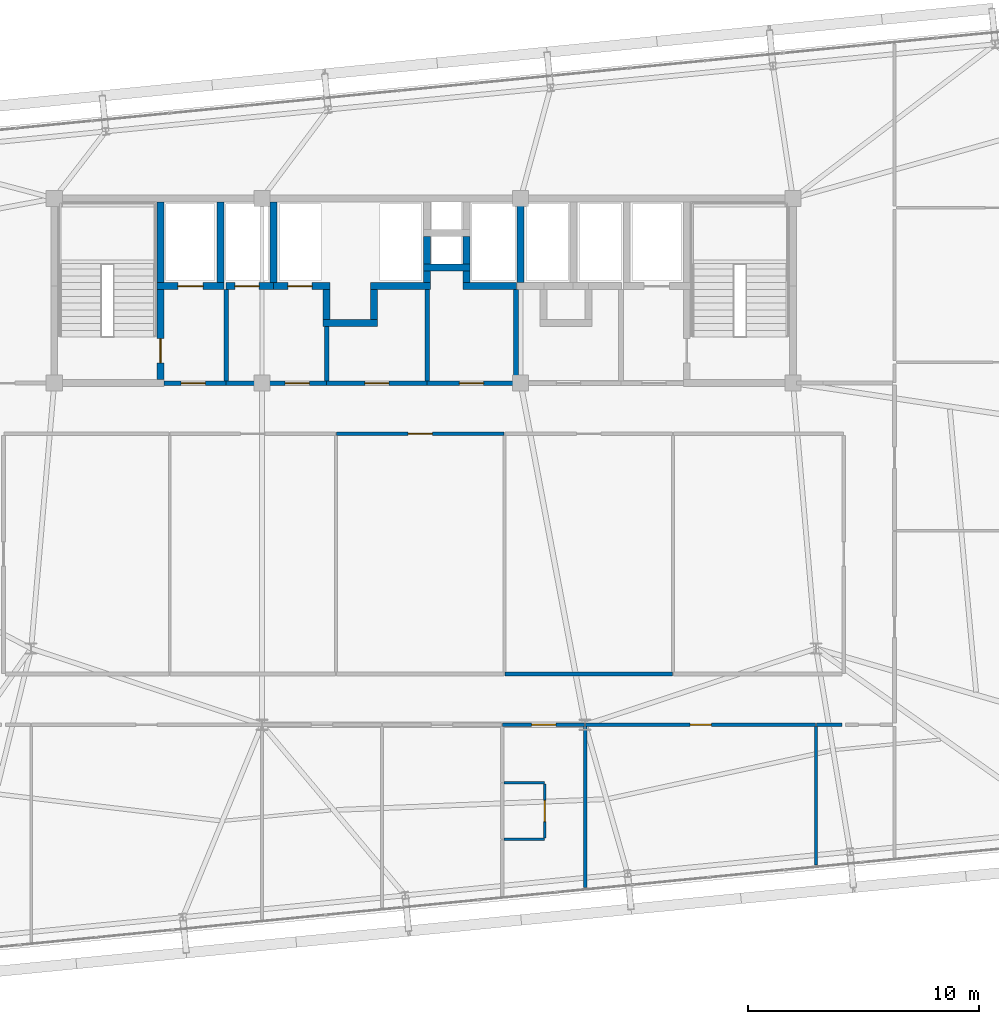
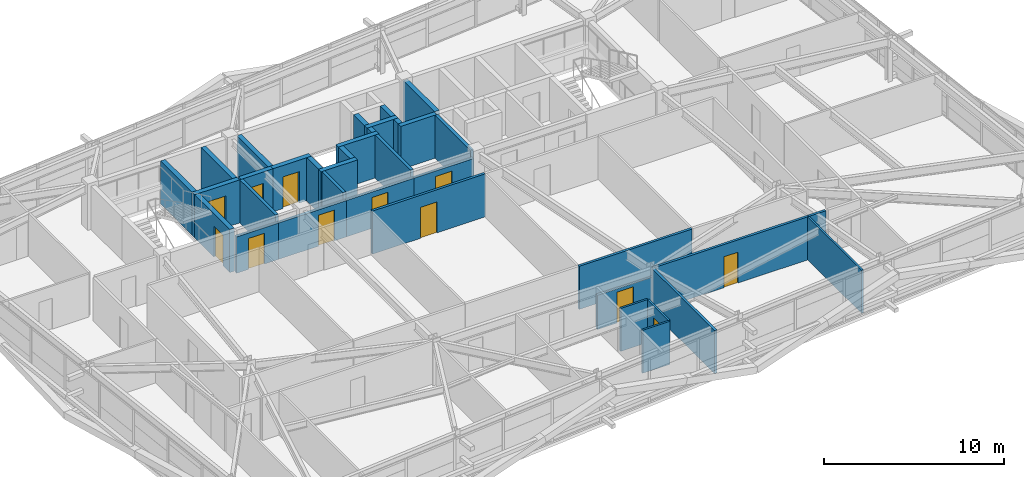
# One storey, part 47 of 52: 36 walls, 12 doors, 12 openings.
"""IFC4 building model written with IfcOpenShell, lengths in metres."""

from ifc_helpers import new_model, si_unit, direction, frame, frame_2d, origin, place, context, subcontext, project, spatial, rectangle, extrude, source, transform, mapped, material, layer, layer_set, type_object, element, fill, save


model = new_model("IFC4")

# Units and contexts
model_context = context("Model", 3, precision=1e-05, world=origin(), true_north=direction((0.0, 1.0)))
body_context = subcontext(model_context, "Body", "Model", "MODEL_VIEW")
ifc_project = project(units=[si_unit("LENGTHUNIT", "METRE"), si_unit("AREAUNIT", "SQUARE_METRE"), si_unit("VOLUMEUNIT", "CUBIC_METRE"), si_unit("PLANEANGLEUNIT", "RADIAN"), si_unit("MASSUNIT", "GRAM", prefix="KILO")], contexts=[model_context])

# Site, building, storey
site_placement = place(None, origin())
site = spatial("IfcSite", under=ifc_project, at=site_placement, CompositionType="ELEMENT")
building_placement = place(site_placement, origin())
building = spatial("IfcBuilding", under=site, at=building_placement, Name="Taldren Reach Tower", CompositionType="ELEMENT")
storey_placement = place(building_placement, frame((0.0, 0.0, 96.60009765625)))
storey = spatial("IfcBuildingStorey", under=building, at=storey_placement, Name="L29", CompositionType="ELEMENT", Elevation=96.60009765625)

# Wall, opening, door
ifc_material_1 = material(Name="Concrete S50 (50 MPa)", Category="concrete")
ifc_layer_1 = layer(ifc_material_1, 0.199951171875)
ifc_layer_set_1 = layer_set([ifc_layer_1], Name="Concrete S50 (50 MPa)")
wall_type_1 = type_object("IfcWallType", Name="IW-CORE-200", PredefinedType="SOLIDWALL", material=ifc_layer_set_1)
shared_shape_1 = source(origin(), body_context, "Body", "SweptSolid", [
    extrude(rectangle(XDim=4.35009765625, YDim=0.199951171875, at=frame_2d((2.175048828125, 0.0))), origin(), (0.0, 0.0, 1.0), 2.469970703125),
])
wall_1_placement = place(storey_placement, frame((30.800048828125, 24.0, 0.0), z_axis=(0.0, 0.0, 1.0), x_axis=(-1.0, 0.0, 0.0)))
wall_1 = element("IfcWall", 1, at=wall_1_placement, inside=storey, type_object=wall_type_1, Name="Rear Core Shear Wall W-INT-L29-033", PredefinedType="SOLIDWALL", context=body_context, shape_type="MappedRepresentation", body=[
    mapped(shared_shape_1, transform((0.0, 0.0, 0.0), scale=1.0)),
])
shared_shape_2 = source(origin(), body_context, "Body", "SweptSolid", [
    extrude(rectangle(XDim=1.050048828125, YDim=2.10009765625, at=frame_2d((0.52490234375, 1.050048828125))), frame((0.0, 0.10986328125, 0.0), z_axis=(0.0, -1.0, 0.0), x_axis=(1.0, 0.0, 0.0)), (0.0, 0.0, 1.0), 0.219970703125),
])
opening_1_placement = place(wall_1_placement, frame((0.75, 0.0, 0.0)))
opening_1 = element("IfcOpeningElement", 2, at=opening_1_placement, cuts=wall_1, Name="Opening DF-105", PredefinedType="OPENING", context=body_context, shape_type="MappedRepresentation", body=[
    mapped(shared_shape_2, transform((0.0, 0.0, 0.0), scale=1.0)),
])
ifc_material_2 = material(Name="Fire-Rated Care and Stair Exit Door")
door_type_1 = type_object("IfcDoorType", Name="ID-FIRE-105", OperationType="NOTDEFINED", PredefinedType="DOOR", material=ifc_material_2)
shared_shape_3 = source(origin(), body_context, "Body", "SweptSolid", [
    extrude(rectangle(XDim=1.050048828125, YDim=2.10009765625, at=frame_2d((0.52490234375, 1.050048828125))), frame((0.0, 0.02490234375, 0.0), z_axis=(0.0, -1.0, 0.0), x_axis=(1.0, 0.0, 0.0)), (0.0, 0.0, 1.0), 0.050048828125),
])
door_1_placement = place(opening_1_placement, frame((1.050048828125, 0.0, 0.0), z_axis=(0.0, 0.0, 1.0), x_axis=(-1.0, 0.0, 0.0)))
door_1 = element("IfcDoor", 3, at=door_1_placement, inside=storey, type_object=door_type_1, Name="Interior Door DR-L29-005", OperationType="SINGLE_SWING_RIGHT", OverallHeight=2.10009765625, OverallWidth=1.050048828125, PredefinedType="DOOR", context=body_context, shape_type="MappedRepresentation", body=[
    mapped(shared_shape_3, transform((0.0, 0.0, 0.0), scale=1.0)),
])
fill(opening_1, door_1)

shared_shape_4 = source(origin(), body_context, "Body", "SweptSolid", [
    extrude(rectangle(XDim=4.349853515625, YDim=0.199951171875, at=frame_2d((2.1748046875, 0.0))), origin(), (0.0, 0.0, 1.0), 2.469970703125),
])
wall_2_placement = place(storey_placement, frame((35.14990234375, 24.0, 0.0), z_axis=(0.0, 0.0, 1.0), x_axis=(-1.0, 0.0, 0.0)))
wall_2 = element("IfcWall", 4, at=wall_2_placement, inside=storey, type_object=wall_type_1, Name="Rear Core Shear Wall W-INT-L29-043", PredefinedType="SOLIDWALL", context=body_context, shape_type="MappedRepresentation", body=[
    mapped(shared_shape_4, transform((0.0, 0.0, 0.0), scale=1.0)),
])
opening_2_placement = place(wall_2_placement, frame((1.64990234375, 0.0, 0.0)))
opening_2 = element("IfcOpeningElement", 5, at=opening_2_placement, cuts=wall_2, Name="Opening DF-105", PredefinedType="OPENING", context=body_context, shape_type="MappedRepresentation", body=[
    mapped(shared_shape_2, transform((0.0, 0.0, 0.0), scale=1.0)),
])
door_2_placement = place(opening_2_placement, frame((1.050048828125, 0.0, 0.0), z_axis=(0.0, 0.0, 1.0), x_axis=(-1.0, 0.0, 0.0)))
door_2 = element("IfcDoor", 6, at=door_2_placement, inside=storey, type_object=door_type_1, Name="Interior Door DR-L29-006", OperationType="SINGLE_SWING_RIGHT", OverallHeight=2.10009765625, OverallWidth=1.050048828125, PredefinedType="DOOR", context=body_context, shape_type="MappedRepresentation", body=[
    mapped(shared_shape_3, transform((0.0, 0.0, 0.0), scale=1.0)),
])
fill(opening_2, door_2)

shared_shape_5 = source(origin(), body_context, "Body", "SweptSolid", [
    extrude(rectangle(XDim=3.85009765625, YDim=0.199951171875, at=frame_2d((1.925048828125, 0.0))), origin(), (0.0, 0.0, 1.0), 2.469970703125),
])
wall_3_placement = place(storey_placement, frame((39.0, 24.0, 0.0), z_axis=(0.0, 0.0, 1.0), x_axis=(-1.0, 0.0, 0.0)))
wall_3 = element("IfcWall", 7, at=wall_3_placement, inside=storey, type_object=wall_type_1, Name="Rear Core Shear Wall W-INT-L29-045", PredefinedType="SOLIDWALL", context=body_context, shape_type="MappedRepresentation", body=[
    mapped(shared_shape_5, transform((0.0, 0.0, 0.0), scale=1.0)),
])
opening_3_placement = place(wall_3_placement, frame((1.39990234375, 0.0, 0.0)))
opening_3 = element("IfcOpeningElement", 8, at=opening_3_placement, cuts=wall_3, Name="Opening DF-105", PredefinedType="OPENING", context=body_context, shape_type="MappedRepresentation", body=[
    mapped(shared_shape_2, transform((0.0, 0.0, 0.0), scale=1.0)),
])
door_3_placement = place(opening_3_placement, frame((1.050048828125, 0.0, 0.0), z_axis=(0.0, 0.0, 1.0), x_axis=(-1.0, 0.0, 0.0)))
door_3 = element("IfcDoor", 9, at=door_3_placement, inside=storey, type_object=door_type_1, Name="Interior Door DR-L29-007", OperationType="SINGLE_SWING_LEFT", OverallHeight=2.10009765625, OverallWidth=1.050048828125, PredefinedType="DOOR", context=body_context, shape_type="MappedRepresentation", body=[
    mapped(shared_shape_3, transform((0.0, 0.0, 0.0), scale=1.0)),
])
fill(opening_3, door_3)

# Wall
ifc_material_3 = material(Name="Fire-Rated Acoustic Plasterboard Stud Wall", Category="gypsum")
ifc_layer_2 = layer(ifc_material_3, 0.159912109375)
ifc_layer_set_2 = layer_set([ifc_layer_2], Name="Fire-Rated Acoustic Plasterboard Stud Wall")
wall_type_2 = type_object("IfcWallType", Name="IW-FIRE-160", PredefinedType="PARTITIONING", material=ifc_layer_set_2)
shared_shape_6 = source(origin(), body_context, "Body", "SweptSolid", [
    extrude(rectangle(XDim=1.099853515625, YDim=0.159912109375, at=frame_2d((0.5498046875, 0.0))), origin(), (0.0, 0.0, 1.0), 2.929931640625),
])
wall_4_placement = place(storey_placement, frame((53.1201171875, 9.199951171875, 0.0), z_axis=(0.0, 0.0, 1.0), x_axis=(-1.0, 0.0, 0.0)))
element("IfcWall", 10, at=wall_4_placement, inside=storey, type_object=wall_type_2, Name="Interior Partition Wall W-INT-L29-073", PredefinedType="PARTITIONING", context=body_context, shape_type="MappedRepresentation", body=[
    mapped(shared_shape_6, transform((0.0, 0.0, 0.0), scale=1.0)),
])

# Wall, opening, door
ifc_material_4 = material(Name="Insulated Residential Stud Partition", Category="gypsum")
ifc_layer_3 = layer(ifc_material_4, 0.1201171875)
ifc_layer_set_3 = layer_set([ifc_layer_3], Name="Insulated Residential Stud Partition")
wall_type_3 = type_object("IfcWallType", Name="IW-PART-120", PredefinedType="PARTITIONING", material=ifc_layer_set_3)
shared_shape_7 = source(origin(), body_context, "Body", "SweptSolid", [
    extrude(rectangle(XDim=2.330078125, YDim=0.1201171875, at=frame_2d((1.1650390625, 0.0))), origin(), (0.0, 0.0, 1.0), 2.929931640625),
])
wall_5_placement = place(storey_placement, frame((40.25, 4.29833984375, 0.0), z_axis=(0.0, 0.0, 1.0), x_axis=(0.0, 1.0, 0.0)))
wall_5 = element("IfcWall", 11, at=wall_5_placement, inside=storey, type_object=wall_type_3, Name="Interior Partition Wall W-INT-L29-085", PredefinedType="PARTITIONING", context=body_context, shape_type="MappedRepresentation", body=[
    mapped(shared_shape_7, transform((0.0, 0.0, 0.0), scale=1.0)),
])
shared_shape_8 = source(origin(), body_context, "Body", "SweptSolid", [
    extrude(rectangle(XDim=0.919921875, YDim=2.10009765625, at=frame_2d((0.4599609375, 1.050048828125))), frame((0.0, 0.070068359375, 0.0), z_axis=(0.0, -1.0, 0.0), x_axis=(1.0, 0.0, 0.0)), (0.0, 0.0, 1.0), 0.14013671875),
])
opening_4_placement = place(wall_5_placement, frame((0.705078125, 0.0, 0.0)))
opening_4 = element("IfcOpeningElement", 12, at=opening_4_placement, cuts=wall_5, Name="Opening DI-092", PredefinedType="OPENING", context=body_context, shape_type="MappedRepresentation", body=[
    mapped(shared_shape_8, transform((0.0, 0.0, 0.0), scale=1.0)),
])
ifc_material_5 = material(Name="Solid-Core Timber Suite Door", Category="wood")
door_type_2 = type_object("IfcDoorType", Name="ID-INT-092", OperationType="NOTDEFINED", PredefinedType="DOOR", material=ifc_material_5)
shared_shape_9 = source(origin(), body_context, "Body", "SweptSolid", [
    extrude(rectangle(XDim=0.919921875, YDim=2.10009765625, at=frame_2d((0.4599609375, 1.050048828125))), frame((0.0, 0.02490234375, 0.0), z_axis=(0.0, -1.0, 0.0), x_axis=(1.0, 0.0, 0.0)), (0.0, 0.0, 1.0), 0.050048828125),
])
door_4_placement = place(opening_4_placement, origin())
door_4 = element("IfcDoor", 13, at=door_4_placement, inside=storey, type_object=door_type_2, Name="Interior Door DR-L29-026", OperationType="SINGLE_SWING_LEFT", OverallHeight=2.10009765625, OverallWidth=0.919921875, PredefinedType="DOOR", context=body_context, shape_type="MappedRepresentation", body=[
    mapped(shared_shape_9, transform((0.0, 0.0, 0.0), scale=1.0)),
])
fill(opening_4, door_4)

# Walls
shared_shape_10 = source(origin(), body_context, "Body", "SweptSolid", [
    extrude(rectangle(XDim=1.749755859375, YDim=0.1201171875, at=frame_2d((0.875, 0.0))), origin(), (0.0, 0.0, 1.0), 2.929931640625),
])
for number, where, z_axis, x_axis, name in (
    (14, (38.47998046875, 4.23828125, 0.0), (0.0, 0.0, 1.0), (1.0, 0.0, 0.0), "Interior Partition Wall W-INT-L29-086"),
    (15, (40.229736328125, 6.6884765625, 0.0), (0.0, 0.0, 1.0), (-1.0, 0.0, 0.0), "Interior Partition Wall W-INT-L29-087"),
):
    element("IfcWall", number, at=place(storey_placement, frame(where, z_axis=z_axis, x_axis=x_axis)), inside=storey, type_object=wall_type_3, Name=name, PredefinedType="PARTITIONING", context=body_context, shape_type="MappedRepresentation", body=[
        mapped(shared_shape_10, transform((0.0, 0.0, 0.0), scale=1.0)),
    ])

# Wall, opening, door
shared_shape_11 = source(origin(), body_context, "Body", "SweptSolid", [
    extrude(rectangle(XDim=9.95947265625, YDim=0.159912109375, at=frame_2d((4.979736328125, 0.0))), origin(), (0.0, 0.0, 1.0), 2.929931640625),
])
wall_6_placement = place(storey_placement, frame((51.979736328125, 9.199951171875, 0.0), z_axis=(0.0, 0.0, 1.0), x_axis=(-1.0, 0.0, 0.0)))
wall_6 = element("IfcWall", 16, at=wall_6_placement, inside=storey, type_object=wall_type_2, Name="Interior Partition Wall W-INT-L29-072", PredefinedType="PARTITIONING", context=body_context, shape_type="MappedRepresentation", body=[
    mapped(shared_shape_11, transform((0.0, 0.0, 0.0), scale=1.0)),
])
shared_shape_12 = source(origin(), body_context, "Body", "SweptSolid", [
    extrude(rectangle(XDim=0.919921875, YDim=2.10009765625, at=frame_2d((0.4599609375, 1.050048828125))), frame((0.0, 0.08984375, 0.0), z_axis=(0.0, -1.0, 0.0), x_axis=(1.0, 0.0, 0.0)), (0.0, 0.0, 1.0), 0.179931640625),
])
opening_5_placement = place(wall_6_placement, frame((4.519775390625, 0.0, 0.0)))
opening_5 = element("IfcOpeningElement", 17, at=opening_5_placement, cuts=wall_6, Name="Opening DI-092", PredefinedType="OPENING", context=body_context, shape_type="MappedRepresentation", body=[
    mapped(shared_shape_12, transform((0.0, 0.0, 0.0), scale=1.0)),
])
door_5_placement = place(opening_5_placement, origin())
door_5 = element("IfcDoor", 18, at=door_5_placement, inside=storey, type_object=door_type_2, Name="Interior Door DR-L29-025", OperationType="SINGLE_SWING_RIGHT", OverallHeight=2.10009765625, OverallWidth=0.919921875, PredefinedType="DOOR", context=body_context, shape_type="MappedRepresentation", body=[
    mapped(shared_shape_9, transform((0.0, 0.0, 0.0), scale=1.0)),
])
fill(opening_5, door_5)

shared_shape_13 = source(origin(), body_context, "Body", "SweptSolid", [
    extrude(rectangle(XDim=7.259521484375, YDim=0.159912109375, at=frame_2d((3.6298828125, 0.0))), origin(), (0.0, 0.0, 1.0), 2.929931640625),
])
wall_7_placement = place(storey_placement, frame((38.479736328125, 21.800048828125, 0.0), z_axis=(0.0, 0.0, 1.0), x_axis=(-1.0, 0.0, 0.0)))
wall_7 = element("IfcWall", 19, at=wall_7_placement, inside=storey, type_object=wall_type_2, Name="Interior Partition Wall W-INT-L29-050", PredefinedType="PARTITIONING", context=body_context, shape_type="MappedRepresentation", body=[
    mapped(shared_shape_13, transform((0.0, 0.0, 0.0), scale=1.0)),
])
shared_shape_14 = source(origin(), body_context, "Body", "SweptSolid", [
    extrude(rectangle(XDim=1.050048828125, YDim=2.10009765625, at=frame_2d((0.52490234375, 1.050048828125))), frame((0.0, 0.08984375, 0.0), z_axis=(0.0, -1.0, 0.0), x_axis=(1.0, 0.0, 0.0)), (0.0, 0.0, 1.0), 0.179931640625),
])
opening_6_placement = place(wall_7_placement, frame((3.104736328125, 0.0, 0.0)))
opening_6 = element("IfcOpeningElement", 20, at=opening_6_placement, cuts=wall_7, Name="Opening DF-105", PredefinedType="OPENING", context=body_context, shape_type="MappedRepresentation", body=[
    mapped(shared_shape_14, transform((0.0, 0.0, 0.0), scale=1.0)),
])
door_6_placement = place(opening_6_placement, origin())
door_6 = element("IfcDoor", 21, at=door_6_placement, inside=storey, type_object=door_type_1, Name="Interior Door DR-L29-011", OperationType="SINGLE_SWING_RIGHT", OverallHeight=2.10009765625, OverallWidth=1.050048828125, PredefinedType="DOOR", context=body_context, shape_type="MappedRepresentation", body=[
    mapped(shared_shape_3, transform((0.0, 0.0, 0.0), scale=1.0)),
])
fill(opening_6, door_6)

# Walls
wall_8_placement = place(storey_placement, frame((38.520263671875, 11.39990234375, 0.0), z_axis=(0.0, 0.0, 1.0), x_axis=(1.0, 0.0, 0.0)))
element("IfcWall", 22, at=wall_8_placement, inside=storey, type_object=wall_type_2, Name="Interior Partition Wall W-INT-L29-065", PredefinedType="PARTITIONING", context=body_context, shape_type="MappedRepresentation", body=[
    mapped(shared_shape_13, transform((0.0, 0.0, 0.0), scale=1.0)),
])
ifc_material_6 = material(Name="Concrete S65 (65 MPa)", Category="concrete")
ifc_layer_4 = layer(ifc_material_6, 0.300048828125)
ifc_layer_set_4 = layer_set([ifc_layer_4], Name="Concrete S65 (65 MPa)")
wall_type_4 = type_object("IfcWallType", Name="IW-CORE-300", PredefinedType="SHEAR", material=ifc_layer_set_4)
shared_shape_15 = source(origin(), body_context, "Body", "SweptSolid", [
    extrude(rectangle(XDim=3.5, YDim=0.300048828125, at=frame_2d((1.75, 0.0))), origin(), (0.0, 0.0, 1.0), 2.929931640625),
])
for number, where, z_axis, x_axis, name in (
    (23, (23.60009765625, 28.35009765625, 0.0), (0.0, 0.0, 1.0), (0.0, 1.0, 0.0), "Rear Core Shear Wall W-INT-L29-001"),
    (24, (26.199951171875, 28.35009765625, 0.0), (0.0, 0.0, 1.0), (0.0, 1.0, 0.0), "Rear Core Shear Wall W-INT-L29-005"),
    (25, (28.5, 28.35009765625, 0.0), (0.0, 0.0, 1.0), (0.0, 1.0, 0.0), "Rear Core Shear Wall W-INT-L29-029"),
    (26, (39.199951171875, 28.35009765625, 0.0), (0.0, 0.0, 1.0), (0.0, 1.0, 0.0), "Rear Core Shear Wall W-INT-L29-036"),
):
    element("IfcWall", number, at=place(storey_placement, frame(where, z_axis=z_axis, x_axis=x_axis)), inside=storey, type_object=wall_type_4, Name=name, PredefinedType="SHEAR", context=body_context, shape_type="MappedRepresentation", body=[
        mapped(shared_shape_15, transform((0.0, 0.0, 0.0), scale=1.0)),
    ])

# Wall, opening, door
shared_shape_16 = source(origin(), body_context, "Body", "SweptSolid", [
    extrude(rectangle(XDim=3.900146484375, YDim=0.300048828125, at=frame_2d((1.9501953125, 0.0))), origin(), (0.0, 0.0, 1.0), 2.929931640625),
])
wall_9_placement = place(storey_placement, frame((23.60009765625, 24.14990234375, 0.0), z_axis=(0.0, 0.0, 1.0), x_axis=(0.0, 1.0, 0.0)))
wall_9 = element("IfcWall", 27, at=wall_9_placement, inside=storey, type_object=wall_type_4, Name="Rear Core Shear Wall W-INT-L29-002", PredefinedType="SHEAR", context=body_context, shape_type="MappedRepresentation", body=[
    mapped(shared_shape_16, transform((0.0, 0.0, 0.0), scale=1.0)),
])
shared_shape_17 = source(origin(), body_context, "Body", "SweptSolid", [
    extrude(rectangle(XDim=1.050048828125, YDim=2.10009765625, at=frame_2d((0.52490234375, 1.050048828125))), frame((0.0, 0.16015625, 0.0), z_axis=(0.0, -1.0, 0.0), x_axis=(1.0, 0.0, 0.0)), (0.0, 0.0, 1.0), 0.320068359375),
])
opening_7_placement = place(wall_9_placement, frame((0.72509765625, 0.0, 0.0)))
opening_7 = element("IfcOpeningElement", 28, at=opening_7_placement, cuts=wall_9, Name="Opening DF-105", PredefinedType="OPENING", context=body_context, shape_type="MappedRepresentation", body=[
    mapped(shared_shape_17, transform((0.0, 0.0, 0.0), scale=1.0)),
])
door_7_placement = place(opening_7_placement, origin())
door_7 = element("IfcDoor", 29, at=door_7_placement, inside=storey, type_object=door_type_1, Name="Fire Exit Stair Door DR-L29-001", OperationType="SINGLE_SWING_LEFT", OverallHeight=2.10009765625, OverallWidth=1.050048828125, PredefinedType="DOOR", context=body_context, shape_type="MappedRepresentation", body=[
    mapped(shared_shape_3, transform((0.0, 0.0, 0.0), scale=1.0)),
])
fill(opening_7, door_7)

shared_shape_18 = source(origin(), body_context, "Body", "SweptSolid", [
    extrude(rectangle(XDim=2.900146484375, YDim=0.300048828125, at=frame_2d((1.4501953125, 0.0))), origin(), (0.0, 0.0, 1.0), 2.929931640625),
])
wall_10_placement = place(storey_placement, frame((23.449951171875, 28.199951171875, 0.0), z_axis=(0.0, 0.0, 1.0), x_axis=(1.0, 0.0, 0.0)))
wall_10 = element("IfcWall", 30, at=wall_10_placement, inside=storey, type_object=wall_type_4, Name="Rear Core Shear Wall W-INT-L29-004", PredefinedType="SHEAR", context=body_context, shape_type="MappedRepresentation", body=[
    mapped(shared_shape_18, transform((0.0, 0.0, 0.0), scale=1.0)),
])
shared_shape_19 = source(origin(), body_context, "Body", "SweptSolid", [
    extrude(rectangle(XDim=1.10009765625, YDim=2.14990234375, at=frame_2d((0.550048828125, 1.074951171875))), frame((0.0, 0.16015625, 0.0), z_axis=(0.0, -1.0, 0.0), x_axis=(1.0, 0.0, 0.0)), (0.0, 0.0, 1.0), 0.320068359375),
])
opening_8_placement = place(wall_10_placement, frame((0.89990234375, 0.0, 0.0)))
opening_8 = element("IfcOpeningElement", 31, at=opening_8_placement, cuts=wall_10, Name="Opening LD-FL1", PredefinedType="OPENING", context=body_context, shape_type="MappedRepresentation", body=[
    mapped(shared_shape_19, transform((0.0, 0.0, 0.0), scale=1.0)),
])
ifc_material_7 = material(Name="Stainless Steel Gr 316 Emergency Lift Landing Door", Category="steel")
door_type_3 = type_object("IfcDoorType", Name="LD-EMG-110", OperationType="SLIDING_TO_LEFT", PredefinedType="DOOR", material=ifc_material_7)
shared_shape_20 = source(origin(), body_context, "Body", "SweptSolid", [
    extrude(rectangle(XDim=1.10009765625, YDim=2.14990234375, at=frame_2d((0.550048828125, 1.074951171875))), frame((0.0, 0.02490234375, 0.0), z_axis=(0.0, -1.0, 0.0), x_axis=(1.0, 0.0, 0.0)), (0.0, 0.0, 1.0), 0.050048828125),
])
door_8_placement = place(opening_8_placement, origin())
door_8 = element("IfcDoor", 32, at=door_8_placement, inside=storey, type_object=door_type_3, Name="Lift Landing Door LD-FL1-L29", OperationType="SLIDING_TO_LEFT", OverallHeight=2.14990234375, OverallWidth=1.10009765625, PredefinedType="DOOR", context=body_context, shape_type="MappedRepresentation", body=[
    mapped(shared_shape_20, transform((0.0, 0.0, 0.0), scale=1.0)),
])
fill(opening_8, door_8)

# Walls
shared_shape_21 = source(origin(), body_context, "Body", "SweptSolid", [
    extrude(rectangle(XDim=3.949951171875, YDim=0.199951171875, at=frame_2d((1.97509765625, 0.0))), origin(), (0.0, 0.0, 1.0), 2.929931640625),
])
for number, where, z_axis, x_axis, name in (
    (33, (26.449951171875, 24.10009765625, 0.0), (0.0, 0.0, 1.0), (0.0, 1.0, 0.0), "Rear Core Shear Wall W-INT-L29-006"),
    (34, (35.14990234375, 28.050048828125, 0.0), (0.0, 0.0, 1.0), (0.0, -1.0, 0.0), "Rear Core Shear Wall W-INT-L29-042"),
    (35, (39.0, 28.050048828125, 0.0), (0.0, 0.0, 1.0), (0.0, -1.0, 0.0), "Rear Core Shear Wall W-INT-L29-044"),
):
    element("IfcWall", number, at=place(storey_placement, frame(where, z_axis=z_axis, x_axis=x_axis)), inside=storey, type_object=wall_type_1, Name=name, PredefinedType="SOLIDWALL", context=body_context, shape_type="MappedRepresentation", body=[
        mapped(shared_shape_21, transform((0.0, 0.0, 0.0), scale=1.0)),
    ])

# Wall, opening, door
shared_shape_22 = source(origin(), body_context, "Body", "SweptSolid", [
    extrude(rectangle(XDim=2.699951171875, YDim=0.199951171875, at=frame_2d((1.35009765625, 0.0))), origin(), (0.0, 0.0, 1.0), 2.469970703125),
])
wall_11_placement = place(storey_placement, frame((23.75, 24.0, 0.0), z_axis=(0.0, 0.0, 1.0), x_axis=(1.0, 0.0, 0.0)))
wall_11 = element("IfcWall", 36, at=wall_11_placement, inside=storey, type_object=wall_type_1, Name="Rear Core Shear Wall W-INT-L29-007", PredefinedType="SOLIDWALL", context=body_context, shape_type="MappedRepresentation", body=[
    mapped(shared_shape_22, transform((0.0, 0.0, 0.0), scale=1.0)),
])
opening_9_placement = place(wall_11_placement, frame((0.75, 0.0, 0.0)))
opening_9 = element("IfcOpeningElement", 37, at=opening_9_placement, cuts=wall_11, Name="Opening DF-105", PredefinedType="OPENING", context=body_context, shape_type="MappedRepresentation", body=[
    mapped(shared_shape_2, transform((0.0, 0.0, 0.0), scale=1.0)),
])
door_9_placement = place(opening_9_placement, origin())
door_9 = element("IfcDoor", 38, at=door_9_placement, inside=storey, type_object=door_type_1, Name="Interior Door DR-L29-002", OperationType="SINGLE_SWING_LEFT", OverallHeight=2.10009765625, OverallWidth=1.050048828125, PredefinedType="DOOR", context=body_context, shape_type="MappedRepresentation", body=[
    mapped(shared_shape_3, transform((0.0, 0.0, 0.0), scale=1.0)),
])
fill(opening_9, door_9)

# Walls
shared_shape_23 = source(origin(), body_context, "Body", "SweptSolid", [
    extrude(rectangle(XDim=2.0, YDim=0.300048828125, at=frame_2d((1.0, 0.0))), origin(), (0.0, 0.0, 1.0), 2.929931640625),
])
wall_12_placement = place(storey_placement, frame((35.0, 29.0, 0.0), z_axis=(0.0, 0.0, 1.0), x_axis=(1.0, 0.0, 0.0)))
element("IfcWall", 39, at=wall_12_placement, inside=storey, type_object=wall_type_4, Name="Rear Core Shear Wall W-INT-L29-020", PredefinedType="SHEAR", context=body_context, shape_type="MappedRepresentation", body=[
    mapped(shared_shape_23, transform((0.0, 0.0, 0.0), scale=1.0)),
])
shared_shape_24 = source(origin(), body_context, "Body", "SweptSolid", [
    extrude(rectangle(XDim=1.2001953125, YDim=0.300048828125, at=frame_2d((0.60009765625, 0.0))), origin(), (0.0, 0.0, 1.0), 2.929931640625),
])
for number, where, z_axis, x_axis, name in (
    (40, (35.14990234375, 30.35009765625, 0.0), (0.0, 0.0, 1.0), (0.0, -1.0, 0.0), "Rear Core Shear Wall W-INT-L29-018"),
    (41, (36.85009765625, 29.14990234375, 0.0), (0.0, 0.0, 1.0), (0.0, 1.0, 0.0), "Rear Core Shear Wall W-INT-L29-019"),
):
    element("IfcWall", number, at=place(storey_placement, frame(where, z_axis=z_axis, x_axis=x_axis)), inside=storey, type_object=wall_type_4, Name=name, PredefinedType="SHEAR", context=body_context, shape_type="MappedRepresentation", body=[
        mapped(shared_shape_24, transform((0.0, 0.0, 0.0), scale=1.0)),
    ])
shared_shape_25 = source(origin(), body_context, "Body", "SweptSolid", [
    extrude(rectangle(XDim=1.300048828125, YDim=0.300048828125, at=frame_2d((0.64990234375, 0.0))), origin(), (0.0, 0.0, 1.0), 2.929931640625),
])
for number, where, z_axis, x_axis, name in (
    (42, (30.800048828125, 28.050048828125, 0.0), (0.0, 0.0, 1.0), (0.0, -1.0, 0.0), "Rear Core Shear Wall W-INT-L29-021"),
    (43, (32.85009765625, 26.75, 0.0), (0.0, 0.0, 1.0), (0.0, 1.0, 0.0), "Rear Core Shear Wall W-INT-L29-023"),
):
    element("IfcWall", number, at=place(storey_placement, frame(where, z_axis=z_axis, x_axis=x_axis)), inside=storey, type_object=wall_type_4, Name=name, PredefinedType="SHEAR", context=body_context, shape_type="MappedRepresentation", body=[
        mapped(shared_shape_25, transform((0.0, 0.0, 0.0), scale=1.0)),
    ])

# Wall, opening, door
shared_shape_26 = source(origin(), body_context, "Body", "SweptSolid", [
    extrude(rectangle(XDim=2.070068359375, YDim=0.300048828125, at=frame_2d((1.03515625, 0.0))), origin(), (0.0, 0.0, 1.0), 2.929931640625),
])
wall_13_placement = place(storey_placement, frame((26.429931640625, 28.199951171875, 0.0), z_axis=(0.0, 0.0, 1.0), x_axis=(1.0, 0.0, 0.0)))
wall_13 = element("IfcWall", 44, at=wall_13_placement, inside=storey, type_object=wall_type_4, Name="Rear Core Shear Wall W-INT-L29-030", PredefinedType="SHEAR", context=body_context, shape_type="MappedRepresentation", body=[
    mapped(shared_shape_26, transform((0.0, 0.0, 0.0), scale=1.0)),
])
shared_shape_27 = source(origin(), body_context, "Body", "SweptSolid", [
    extrude(rectangle(XDim=1.050048828125, YDim=2.14990234375, at=frame_2d((0.52490234375, 1.074951171875))), frame((0.0, 0.16015625, 0.0), z_axis=(0.0, -1.0, 0.0), x_axis=(1.0, 0.0, 0.0)), (0.0, 0.0, 1.0), 0.320068359375),
])
opening_10_placement = place(wall_13_placement, frame((0.39501953125, 0.0, 0.0)))
opening_10 = element("IfcOpeningElement", 45, at=opening_10_placement, cuts=wall_13, Name="Opening LD-PL1", PredefinedType="OPENING", context=body_context, shape_type="MappedRepresentation", body=[
    mapped(shared_shape_27, transform((0.0, 0.0, 0.0), scale=1.0)),
])
ifc_material_8 = material(Name="Stainless Steel Gr 316 Passenger Lift Landing Door", Category="steel")
door_type_4 = type_object("IfcDoorType", Name="LD-PAS-105", OperationType="SLIDING_TO_LEFT", PredefinedType="DOOR", material=ifc_material_8)
shared_shape_28 = source(origin(), body_context, "Body", "SweptSolid", [
    extrude(rectangle(XDim=1.050048828125, YDim=2.14990234375, at=frame_2d((0.52490234375, 1.074951171875))), frame((0.0, 0.02490234375, 0.0), z_axis=(0.0, -1.0, 0.0), x_axis=(1.0, 0.0, 0.0)), (0.0, 0.0, 1.0), 0.050048828125),
])
door_10_placement = place(opening_10_placement, origin())
door_10 = element("IfcDoor", 46, at=door_10_placement, inside=storey, type_object=door_type_4, Name="Lift Landing Door LD-PL1-L29", OperationType="SLIDING_TO_LEFT", OverallHeight=2.14990234375, OverallWidth=1.050048828125, PredefinedType="DOOR", context=body_context, shape_type="MappedRepresentation", body=[
    mapped(shared_shape_28, transform((0.0, 0.0, 0.0), scale=1.0)),
])
fill(opening_10, door_10)

shared_shape_29 = source(origin(), body_context, "Body", "SweptSolid", [
    extrude(rectangle(XDim=2.449951171875, YDim=0.300048828125, at=frame_2d((1.22509765625, 0.0))), origin(), (0.0, 0.0, 1.0), 2.929931640625),
])
wall_14_placement = place(storey_placement, frame((28.5, 28.199951171875, 0.0), z_axis=(0.0, 0.0, 1.0), x_axis=(1.0, 0.0, 0.0)))
wall_14 = element("IfcWall", 47, at=wall_14_placement, inside=storey, type_object=wall_type_4, Name="Rear Core Shear Wall W-INT-L29-031", PredefinedType="SHEAR", context=body_context, shape_type="MappedRepresentation", body=[
    mapped(shared_shape_29, transform((0.0, 0.0, 0.0), scale=1.0)),
])
opening_11_placement = place(wall_14_placement, frame((0.625, 0.0, 0.0)))
opening_11 = element("IfcOpeningElement", 48, at=opening_11_placement, cuts=wall_14, Name="Opening LD-PL2", PredefinedType="OPENING", context=body_context, shape_type="MappedRepresentation", body=[
    mapped(shared_shape_27, transform((0.0, 0.0, 0.0), scale=1.0)),
])
door_11_placement = place(opening_11_placement, origin())
door_11 = element("IfcDoor", 49, at=door_11_placement, inside=storey, type_object=door_type_4, Name="Lift Landing Door LD-PL2-L29", OperationType="SLIDING_TO_LEFT", OverallHeight=2.14990234375, OverallWidth=1.050048828125, PredefinedType="DOOR", context=body_context, shape_type="MappedRepresentation", body=[
    mapped(shared_shape_28, transform((0.0, 0.0, 0.0), scale=1.0)),
])
fill(opening_11, door_11)

# Walls
shared_shape_30 = source(origin(), body_context, "Body", "SweptSolid", [
    extrude(rectangle(XDim=2.349853515625, YDim=0.199951171875, at=frame_2d((1.1748046875, 0.0))), origin(), (0.0, 0.0, 1.0), 2.929931640625),
])
wall_15_placement = place(storey_placement, frame((30.800048828125, 26.449951171875, 0.0), z_axis=(0.0, 0.0, 1.0), x_axis=(0.0, -1.0, 0.0)))
element("IfcWall", 50, at=wall_15_placement, inside=storey, type_object=wall_type_1, Name="Rear Core Shear Wall W-INT-L29-032", PredefinedType="SOLIDWALL", context=body_context, shape_type="MappedRepresentation", body=[
    mapped(shared_shape_30, transform((0.0, 0.0, 0.0), scale=1.0)),
])
shared_shape_31 = source(origin(), body_context, "Body", "SweptSolid", [
    extrude(rectangle(XDim=0.5, YDim=0.300048828125, at=frame_2d((0.25, 0.0))), origin(), (0.0, 0.0, 1.0), 2.929931640625),
])
for number, where, z_axis, x_axis, name in (
    (51, (35.14990234375, 28.35009765625, 0.0), (0.0, 0.0, 1.0), (0.0, 1.0, 0.0), "Rear Core Shear Wall W-INT-L29-035"),
    (52, (36.85009765625, 28.85009765625, 0.0), (0.0, 0.0, 1.0), (0.0, -1.0, 0.0), "Rear Core Shear Wall W-INT-L29-038"),
):
    element("IfcWall", number, at=place(storey_placement, frame(where, z_axis=z_axis, x_axis=x_axis)), inside=storey, type_object=wall_type_4, Name=name, PredefinedType="SHEAR", context=body_context, shape_type="MappedRepresentation", body=[
        mapped(shared_shape_31, transform((0.0, 0.0, 0.0), scale=1.0)),
    ])
shared_shape_32 = source(origin(), body_context, "Body", "SweptSolid", [
    extrude(rectangle(XDim=2.35009765625, YDim=0.300048828125, at=frame_2d((1.175048828125, 0.0))), origin(), (0.0, 0.0, 1.0), 2.929931640625),
])
wall_16_placement = place(storey_placement, frame((30.64990234375, 26.60009765625, 0.0), z_axis=(0.0, 0.0, 1.0), x_axis=(1.0, 0.0, 0.0)))
element("IfcWall", 53, at=wall_16_placement, inside=storey, type_object=wall_type_4, Name="Rear Core Shear Wall W-INT-L29-022", PredefinedType="SHEAR", context=body_context, shape_type="MappedRepresentation", body=[
    mapped(shared_shape_32, transform((0.0, 0.0, 0.0), scale=1.0)),
])
shared_shape_33 = source(origin(), body_context, "Body", "SweptSolid", [
    extrude(rectangle(XDim=2.60009765625, YDim=0.300048828125, at=frame_2d((1.300048828125, 0.0))), origin(), (0.0, 0.0, 1.0), 2.929931640625),
])
wall_17_placement = place(storey_placement, frame((32.699951171875, 28.199951171875, 0.0), z_axis=(0.0, 0.0, 1.0), x_axis=(1.0, 0.0, 0.0)))
element("IfcWall", 54, at=wall_17_placement, inside=storey, type_object=wall_type_4, Name="Rear Core Shear Wall W-INT-L29-034", PredefinedType="SHEAR", context=body_context, shape_type="MappedRepresentation", body=[
    mapped(shared_shape_33, transform((0.0, 0.0, 0.0), scale=1.0)),
])
shared_shape_34 = source(origin(), body_context, "Body", "SweptSolid", [
    extrude(rectangle(XDim=2.320068359375, YDim=0.300048828125, at=frame_2d((1.16015625, 0.0))), origin(), (0.0, 0.0, 1.0), 2.929931640625),
])
wall_18_placement = place(storey_placement, frame((36.699951171875, 28.199951171875, 0.0), z_axis=(0.0, 0.0, 1.0), x_axis=(1.0, 0.0, 0.0)))
element("IfcWall", 55, at=wall_18_placement, inside=storey, type_object=wall_type_4, Name="Rear Core Shear Wall W-INT-L29-037", PredefinedType="SHEAR", context=body_context, shape_type="MappedRepresentation", body=[
    mapped(shared_shape_34, transform((0.0, 0.0, 0.0), scale=1.0)),
])
shared_shape_35 = source(origin(), body_context, "Body", "SweptSolid", [
    extrude(rectangle(XDim=6.971923828125, YDim=0.159912109375, at=frame_2d((3.48583984375, 0.0))), origin(), (0.0, 0.0, 1.0), 2.929931640625),
])
wall_19_placement = place(storey_placement, frame((42.0, 9.117919921875, 0.0), z_axis=(0.0, 0.0, 1.0), x_axis=(0.0, -1.0, 0.0)))
element("IfcWall", 56, at=wall_19_placement, inside=storey, type_object=wall_type_2, Name="Interior Partition Wall W-INT-L29-088", PredefinedType="PARTITIONING", context=body_context, shape_type="MappedRepresentation", body=[
    mapped(shared_shape_35, transform((0.0, 0.0, 0.0), scale=1.0)),
])
shared_shape_36 = source(origin(), body_context, "Body", "SweptSolid", [
    extrude(rectangle(XDim=5.99560546875, YDim=0.1201171875, at=frame_2d((2.997802734375, 0.0))), origin(), (0.0, 0.0, 1.0), 2.929931640625),
])
wall_20_placement = place(storey_placement, frame((52.0, 9.1201171875, 0.0), z_axis=(0.0, 0.0, 1.0), x_axis=(0.0, -1.0, 0.0)))
element("IfcWall", 57, at=wall_20_placement, inside=storey, type_object=wall_type_3, Name="Interior Partition Wall W-INT-L29-089", PredefinedType="PARTITIONING", context=body_context, shape_type="MappedRepresentation", body=[
    mapped(shared_shape_36, transform((0.0, 0.0, 0.0), scale=1.0)),
])

# Wall, opening, door
shared_shape_37 = source(origin(), body_context, "Body", "SweptSolid", [
    extrude(rectangle(XDim=3.559326171875, YDim=0.159912109375, at=frame_2d((1.77978515625, 0.0))), origin(), (0.0, 0.0, 1.0), 2.327880859375),
])
wall_21_placement = place(storey_placement, frame((41.979736328125, 9.199951171875, 0.0), z_axis=(0.0, 0.0, 1.0), x_axis=(-1.0, 0.0, 0.0)))
wall_21 = element("IfcWall", 58, at=wall_21_placement, inside=storey, type_object=wall_type_2, Name="Interior Partition Wall W-INT-L29-071", PredefinedType="PARTITIONING", context=body_context, shape_type="MappedRepresentation", body=[
    mapped(shared_shape_37, transform((0.0, 0.0, 0.0), scale=1.0)),
])
opening_12_placement = place(wall_21_placement, frame((1.254638671875, 0.0, 0.0)))
opening_12 = element("IfcOpeningElement", 59, at=opening_12_placement, cuts=wall_21, Name="Opening DF-105", PredefinedType="OPENING", context=body_context, shape_type="MappedRepresentation", body=[
    mapped(shared_shape_14, transform((0.0, 0.0, 0.0), scale=1.0)),
])
door_12_placement = place(opening_12_placement, origin())
door_12 = element("IfcDoor", 60, at=door_12_placement, inside=storey, type_object=door_type_1, Name="Interior Door DR-L29-024", OperationType="SINGLE_SWING_LEFT", OverallHeight=2.10009765625, OverallWidth=1.050048828125, PredefinedType="DOOR", context=body_context, shape_type="MappedRepresentation", body=[
    mapped(shared_shape_3, transform((0.0, 0.0, 0.0), scale=1.0)),
])
fill(opening_12, door_12)

save(model, "model.ifc")
